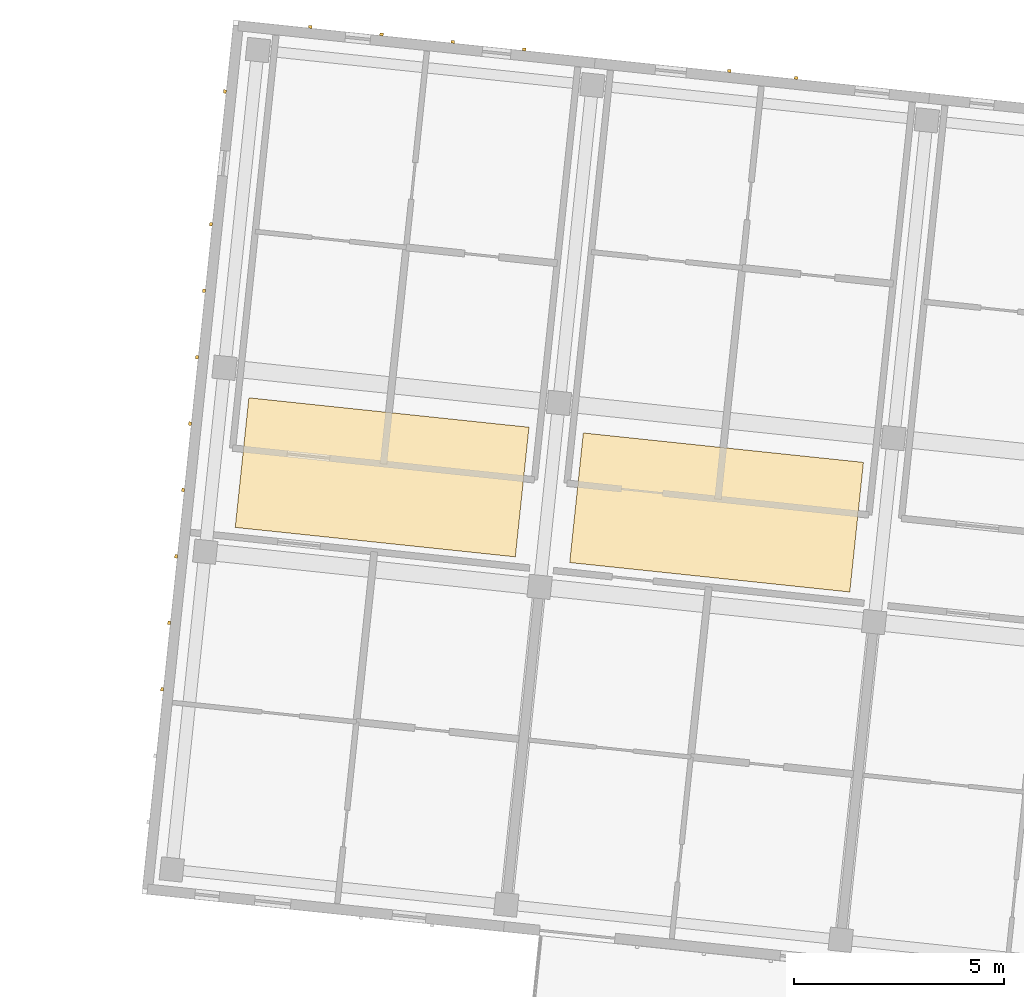
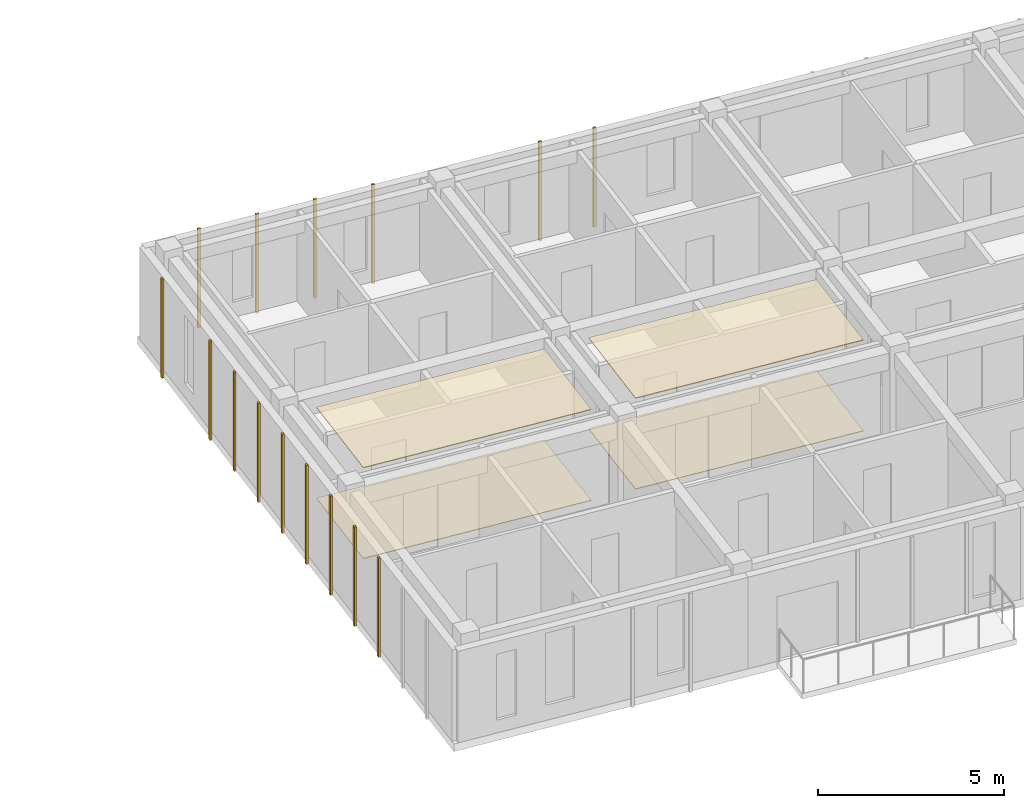
# One storey, part 61 of 68: 19 coverings.
"""IFC4 building model written with IfcOpenShell, lengths in metres."""

from ifc_helpers import new_model, si_unit, direction, frame, origin, origin_2d, place, context, subcontext, project, spatial, polyline, rectangle, outline, extrude, material, layer, layer_set, type_object, element, save


model = new_model("IFC4")

# Units and contexts
model_context = context("Model", 3, precision=1e-05, world=origin(), true_north=direction((0.0, 1.0)))
body_context = subcontext(model_context, "Body", "Model", "MODEL_VIEW")
ifc_project = project(units=[si_unit("LENGTHUNIT", "METRE"), si_unit("AREAUNIT", "SQUARE_METRE"), si_unit("VOLUMEUNIT", "CUBIC_METRE"), si_unit("PLANEANGLEUNIT", "RADIAN"), si_unit("MASSUNIT", "GRAM", prefix="KILO")], contexts=[model_context])

# Site, building, storey
site_placement = place(None, origin())
site = spatial("IfcSite", under=ifc_project, at=site_placement, CompositionType="ELEMENT")
building_placement = place(site_placement, origin())
building = spatial("IfcBuilding", under=site, at=building_placement, Name="Kestramere Prow Commons", CompositionType="ELEMENT")
storey_placement = place(building_placement, frame((0.0, 0.0, 18.14990234375)))
storey = spatial("IfcBuildingStorey", under=building, at=storey_placement, Name="L05", CompositionType="ELEMENT", Elevation=18.14990234375)

# Coverings
ifc_material_1 = material(Name="Mineral Fibre Acoustic Ceiling Tile")
ifc_layer_1 = layer(ifc_material_1, 0.02490234375)
ifc_layer_set_1 = layer_set([ifc_layer_1], Name="Mineral Fibre Acoustic Ceiling Tile")
covering_type_1 = type_object("IfcCoveringType", Name="COV-CEIL-ACOUSTIC", PredefinedType="CEILING", material=ifc_layer_set_1)
covering_1_placement = place(storey_placement, frame((0.0, 0.0, 2.97509765625)))
element("IfcCovering", 1, at=covering_1_placement, inside=storey, type_object=covering_type_1, Name="Block B L05 Corridor Acoustic Ceiling 1", PredefinedType="CEILING", context=body_context, shape_type="SweptSolid", body=[
    extrude(outline(polyline([(111.5087890625, 102.936767578125), (118.172119140625, 102.236572265625), (118.49609375, 105.319580078125), (111.832763671875, 106.019775390625), (111.5087890625, 102.936767578125)])), origin(), (0.0, 0.0, 1.0), 0.02490234375),
])
covering_2_placement = place(storey_placement, frame((0.0, 0.0, 2.97509765625)))
element("IfcCovering", 2, at=covering_2_placement, inside=storey, type_object=covering_type_1, Name="Block B L05 Corridor Acoustic Ceiling 2", PredefinedType="CEILING", context=body_context, shape_type="SweptSolid", body=[
    extrude(outline(polyline([(119.465087890625, 102.1005859375), (126.128173828125, 101.400390625), (126.452392578125, 104.4833984375), (119.7890625, 105.18359375), (119.465087890625, 102.1005859375)])), origin(), (0.0, 0.0, 1.0), 0.02490234375),
])
ifc_material_2 = material(Name="Weathered Zinc-Titanium Standing-Seam Cladding")
ifc_layer_2 = layer(ifc_material_2, 0.074951171875)
ifc_layer_set_2 = layer_set([ifc_layer_2], Name="Weathered Zinc-Titanium Standing-Seam Cladding")
covering_type_2 = type_object("IfcCoveringType", Name="COV-CLAD-SEAM", PredefinedType="CLADDING", material=ifc_layer_set_2)
for number, where, z_axis, x_axis, name in (
    (3, (113.293212890625, 114.843017578125, -0.25), (0.0, 0.0, 1.0), (0.994521895368, -0.104528463268, 0.0), "EW-B-L05-N-0 Standing-Seam Rib 1"),
    (4, (114.98876953125, 114.664794921875, -0.25), (0.0, 0.0, 1.0), (0.994521895368, -0.104528463268, 0.0), "EW-B-L05-N-0 Standing-Seam Rib 2"),
    (5, (116.684326171875, 114.486572265625, -0.25), (0.0, 0.0, 1.0), (0.994521895368, -0.104528463268, 0.0), "EW-B-L05-N-0 Standing-Seam Rib 3"),
    (6, (118.380126953125, 114.308349609375, -0.25), (0.0, 0.0, 1.0), (0.994521895368, -0.104528463268, 0.0), "EW-B-L05-N-0 Standing-Seam Rib 4"),
    (7, (123.25830078125, 113.795654296875, -0.25), (0.0, 0.0, 1.0), (0.994521895368, -0.104528463268, 0.0), "EW-B-L05-N-1 Standing-Seam Rib 2"),
    (8, (124.849365234375, 113.62841796875, -0.25), (0.0, 0.0, 1.0), (0.994521895368, -0.104528463268, 0.0), "EW-B-L05-N-1 Standing-Seam Rib 3"),
    (9, (109.76953125, 99.087890625, -0.25), (0.0, 0.0, 1.0), (0.104528463268, 0.994521895368, 0.0), "EW-B-L05-EAV Standing-Seam Rib 3"),
    (10, (109.935546875, 100.667724609375, -0.25), (0.0, 0.0, 1.0), (0.104528463268, 0.994521895368, 0.0), "EW-B-L05-EAV Standing-Seam Rib 4"),
    (11, (110.1015625, 102.24755859375, -0.25), (0.0, 0.0, 1.0), (0.104528463268, 0.994521895368, 0.0), "EW-B-L05-EAV Standing-Seam Rib 5"),
    (12, (110.267578125, 103.8271484375, -0.25), (0.0, 0.0, 1.0), (0.104528463268, 0.994521895368, 0.0), "EW-B-L05-EAV Standing-Seam Rib 6"),
    (13, (110.43359375, 105.406982421875, -0.25), (0.0, 0.0, 1.0), (0.104528463268, 0.994521895368, 0.0), "EW-B-L05-EAV Standing-Seam Rib 7"),
    (14, (110.599609375, 106.98681640625, -0.25), (0.0, 0.0, 1.0), (0.104528463268, 0.994521895368, 0.0), "EW-B-L05-EAV Standing-Seam Rib 8"),
    (15, (110.765625, 108.566650390625, -0.25), (0.0, 0.0, 1.0), (0.104528463268, 0.994521895368, 0.0), "EW-B-L05-EAV Standing-Seam Rib 9"),
    (16, (110.931640625, 110.146240234375, -0.25), (0.0, 0.0, 1.0), (0.104528463268, 0.994521895368, 0.0), "EW-B-L05-EAV Standing-Seam Rib 10"),
    (17, (111.263916015625, 113.305908203125, -0.25), (0.0, 0.0, 1.0), (0.104528463268, 0.994521895368, 0.0), "EW-B-L05-EAV Standing-Seam Rib 12"),
):
    element("IfcCovering", number, at=place(storey_placement, frame(where, z_axis=z_axis, x_axis=x_axis)), inside=storey, type_object=covering_type_2, Name=name, PredefinedType="CLADDING", context=body_context, shape_type="SweptSolid", body=[
        extrude(rectangle(XDim=0.0849609375, YDim=0.06494140625, at=origin_2d()), origin(), (0.0, 0.0, 1.0), 3.25),
    ])
ifc_material_3 = material(Name="Honed Cementitious Terrazzo Tile")
ifc_layer_3 = layer(ifc_material_3, 0.02001953125)
ifc_layer_set_3 = layer_set([ifc_layer_3], Name="Honed Cementitious Terrazzo Tile")
covering_type_3 = type_object("IfcCoveringType", Name="COV-FLOOR-TERRAZZO", PredefinedType="FLOORING", material=ifc_layer_set_3)
covering_3_placement = place(storey_placement, origin())
element("IfcCovering", 18, at=covering_3_placement, inside=storey, type_object=covering_type_3, Name="Block B L05 Corridor Terrazzo Flooring 1", PredefinedType="FLOORING", context=body_context, shape_type="SweptSolid", body=[
    extrude(outline(polyline([(111.5087890625, 102.936767578125), (118.172119140625, 102.236572265625), (118.49609375, 105.319580078125), (111.832763671875, 106.019775390625), (111.5087890625, 102.936767578125)])), origin(), (0.0, 0.0, 1.0), 0.02001953125),
])
covering_4_placement = place(storey_placement, origin())
element("IfcCovering", 19, at=covering_4_placement, inside=storey, type_object=covering_type_3, Name="Block B L05 Corridor Terrazzo Flooring 2", PredefinedType="FLOORING", context=body_context, shape_type="SweptSolid", body=[
    extrude(outline(polyline([(119.465087890625, 102.1005859375), (126.128173828125, 101.400390625), (126.452392578125, 104.4833984375), (119.7890625, 105.18359375), (119.465087890625, 102.1005859375)])), origin(), (0.0, 0.0, 1.0), 0.02001953125),
])

save(model, "model.ifc")
